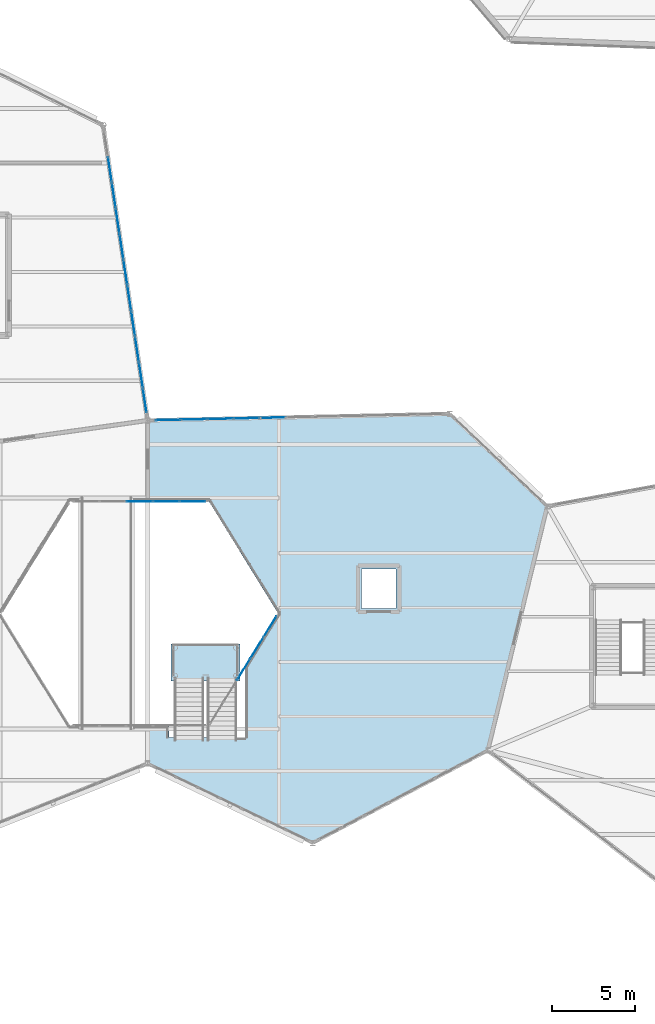
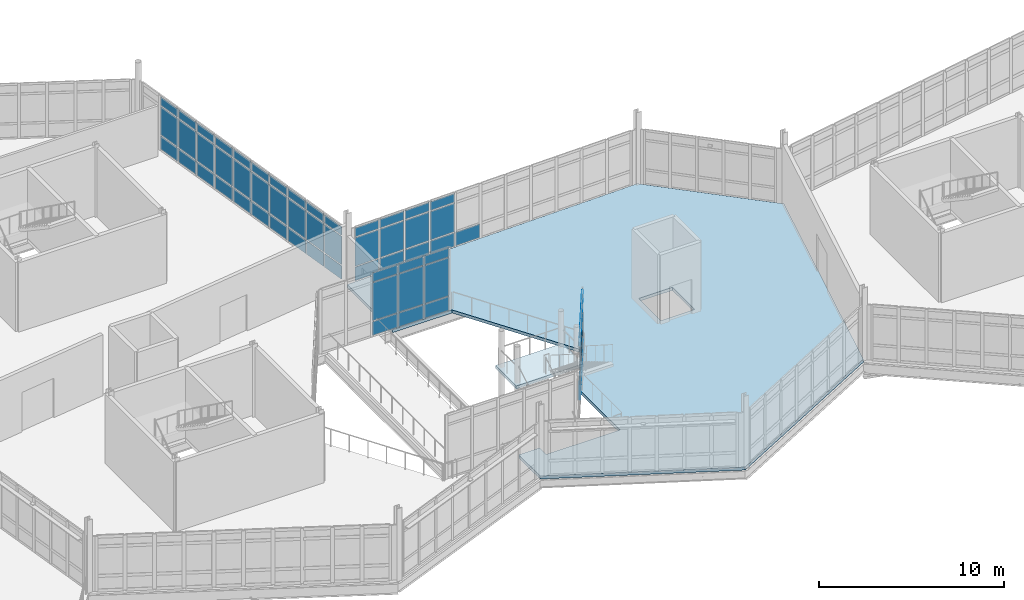
# One storey, part 73 of 114: 61 plates, 2 slabs, 5 elements without a shape of their own.
"""IFC4 building model written with IfcOpenShell, lengths in metres."""

import ifcopenshell
import ifcopenshell.guid

model = None  # the IFC model being written
_history = None  # IfcOwnerHistory: only IFC2X3 demands one
_inside = {}  # id of a spatial element -> (the spatial element, [elements in it])
_under = {}  # id of a project, library or spatial element -> (it, [spatial elements below it])
_declared = {}  # id of a project -> (the project, [libraries it declares])
_typed = {}  # id of a type object -> (the type object, [elements of that type])
_made_of = {}  # id of a material, layer set ... -> (it, [elements and type objects made of it])


def new_model(schema):
    """Start an empty IFC model of exactly this schema.

    Asked for "IFC4X3", IfcOpenShell would pick the latest addendum, in which some entities
    have other attributes; the version numbers below select the first issue.
    IFC2X3 requires an IfcOwnerHistory on every rooted entity: one is made here for all.
    """
    global model, _history
    if schema == "IFC4X3":
        model = ifcopenshell.file(schema_version=(4, 3, 0, 0))
    else:
        model = ifcopenshell.file(schema=schema)
    _inside.clear()
    _under.clear()
    _declared.clear()
    _typed.clear()
    _made_of.clear()
    _history = None
    if model.schema == "IFC2X3":
        org = make("IfcOrganization", Name="unknown")
        user = make(
            "IfcPersonAndOrganization",
            ThePerson=make("IfcPerson", FamilyName="unknown"),
            TheOrganization=org,
        )
        app = make(
            "IfcApplication",
            ApplicationDeveloper=org,
            Version="unknown",
            ApplicationFullName="unknown",
            ApplicationIdentifier="unknown",
        )
        _history = make(
            "IfcOwnerHistory",
            OwningUser=user,
            OwningApplication=app,
            ChangeAction="ADDED",
            CreationDate=0,
        )
    return model


def make(cls, **values):
    """One entity of the class cls with the attributes given. An attribute that is None is left unset."""
    return model.create_entity(
        cls, **{name: value for name, value in values.items() if value is not None}
    )


def rooted(cls, **values):
    """An entity with a GlobalId (a new one), such as an element, a storey or a relation."""
    return make(cls, GlobalId=ifcopenshell.guid.new(), OwnerHistory=_history, **values)


def si_unit(unit_type, name, prefix=None):
    """IfcSIUnit, for example si_unit("LENGTHUNIT", "METRE", prefix="MILLI")."""
    return make("IfcSIUnit", UnitType=unit_type, Prefix=prefix, Name=name)


def assignment(units):
    """IfcUnitAssignment: the units of a project."""
    return None if units is None else make("IfcUnitAssignment", Units=units)


def point(xyz):
    """IfcCartesianPoint."""
    return None if xyz is None else make("IfcCartesianPoint", Coordinates=xyz)


def direction(xyz):
    """IfcDirection."""
    return None if xyz is None else make("IfcDirection", DirectionRatios=xyz)


def frame(location, z_axis=None, x_axis=None):
    """IfcAxis2Placement3D, a coordinate frame: its origin and axes. An axis left out is left unset."""
    return make(
        "IfcAxis2Placement3D",
        Location=point(location),
        Axis=direction(z_axis),
        RefDirection=direction(x_axis),
    )


def frame_2d(location, x_axis=None):
    """IfcAxis2Placement2D, a coordinate frame in the plane: its origin and x axis."""
    return make(
        "IfcAxis2Placement2D", Location=point(location), RefDirection=direction(x_axis)
    )


def origin():
    """The frame at (0, 0, 0) with its axes left unset."""
    return frame((0.0, 0.0, 0.0))


def origin_2d():
    """The frame at (0, 0) in the plane with its x axis left unset."""
    return frame_2d((0.0, 0.0))


def place(relative_to, where):
    """IfcLocalPlacement: puts the frame where relative to a parent placement (None: the world)."""
    return make(
        "IfcLocalPlacement", PlacementRelTo=relative_to, RelativePlacement=where
    )


def context(
    kind, dimensions, precision=None, world=None, true_north=None, identifier=None
):
    """IfcGeometricRepresentationContext, for example the 3D "Model" context."""
    return make(
        "IfcGeometricRepresentationContext",
        ContextIdentifier=identifier,
        ContextType=kind,
        CoordinateSpaceDimension=dimensions,
        Precision=precision,
        WorldCoordinateSystem=world,
        TrueNorth=true_north,
    )


def subcontext(parent, identifier, kind, view, scale=None):
    """IfcGeometricRepresentationSubContext, for example "Body" below "Model"."""
    return make(
        "IfcGeometricRepresentationSubContext",
        ContextIdentifier=identifier,
        ContextType=kind,
        ParentContext=parent,
        TargetScale=scale,
        TargetView=view,
    )


def project(units=None, contexts=None):
    """IfcProject with its units and contexts."""
    return rooted(
        "IfcProject",
        Name="project",
        RepresentationContexts=contexts,
        UnitsInContext=assignment(units),
    )


def spatial(cls, under=None, at=None, **own):
    """A site, building, storey or space (cls), placed at a placement, below another one or the project."""
    s = rooted(cls, ObjectPlacement=at, **own)
    if under is not None:
        _under.setdefault(under.id(), (under, []))[1].append(s)
    return s


def polyline(points):
    """IfcPolyline through the points."""
    return make("IfcPolyline", Points=[point(p) for p in points])


def profile(cls, at=None, kind="AREA", **sizes):
    """A parametric profile (cls). Its sizes go by their IFC names, for example OverallWidth=200.0."""
    return make(cls, ProfileType=kind, Position=at, **sizes)


def rectangle(**sizes):
    """IfcRectangleProfileDef."""
    return profile("IfcRectangleProfileDef", **sizes)


def outline(outer, holes=None, kind="AREA"):
    """IfcArbitraryClosedProfileDef: a profile drawn as a closed curve; with holes, ...WithVoids."""
    if holes is None:
        return make("IfcArbitraryClosedProfileDef", ProfileType=kind, OuterCurve=outer)
    return make(
        "IfcArbitraryProfileDefWithVoids",
        ProfileType=kind,
        OuterCurve=outer,
        InnerCurves=holes,
    )


def extrude(swept, where, along, depth):
    """IfcExtrudedAreaSolid: the profile swept, set in the frame where, extruded along a direction by depth."""
    return make(
        "IfcExtrudedAreaSolid",
        SweptArea=swept,
        Position=where,
        ExtrudedDirection=direction(along),
        Depth=depth,
    )


def shape(context_of_items, identifier, shape_type, items):
    """IfcShapeRepresentation: the items that make up one representation, for example the "Body"."""
    return make(
        "IfcShapeRepresentation",
        ContextOfItems=context_of_items,
        RepresentationIdentifier=identifier,
        RepresentationType=shape_type,
        Items=items,
    )


def material(Name=None, Category=None):
    """IfcMaterial."""
    return make("IfcMaterial", Name=Name, Category=Category)


def layer(
    of_material, thickness, ventilated=None, Name=None, Category=None, Priority=None
):
    """IfcMaterialLayer: one layer of a wall or slab, of a material (None: an air gap)."""
    return make(
        "IfcMaterialLayer",
        Material=of_material,
        LayerThickness=thickness,
        IsVentilated=ventilated,
        Name=Name,
        Category=Category,
        Priority=Priority,
    )


def layer_set(layers, Name=None):
    """IfcMaterialLayerSet."""
    return make("IfcMaterialLayerSet", MaterialLayers=layers, LayerSetName=Name)


def made_of(thing, what):
    """Note that an element or type object is made of a material, layer set ...; save() writes the relation."""
    if what is not None:
        _made_of.setdefault(what.id(), (what, []))[1].append(thing)
    return thing


def type_object(cls, material=None, **own):
    """A type object (cls), such as IfcWallType, which elements share."""
    return made_of(rooted(cls, **own), material)


def element(
    cls,
    number,
    at=None,
    inside=None,
    cuts=None,
    type_object=None,
    material=None,
    context=None,
    identifier="Body",
    shape_type=None,
    held_by="IfcProductDefinitionShape",
    body=None,
    shapes=None,
    **own,
):
    """One element of the class cls, such as IfcWall. Its Tag is "e" and its number.

    at: its placement. inside: the storey or other place that contains it. cuts: it is an
    opening in that element (IfcRelVoidsElement). A single representation is given by context,
    identifier, shape_type and body (its items); several are given by shapes. held_by: the class
    of the entity that holds the representations. save() writes the other relations.
    """
    e = rooted(cls, Tag="e%d" % number, ObjectPlacement=at, **own)
    if body is not None:
        shapes = [shape(context, identifier, shape_type, body)]
    if shapes is not None:
        e.Representation = make(held_by, Representations=shapes)
    if inside is not None:
        _inside.setdefault(inside.id(), (inside, []))[1].append(e)
    if cuts is not None:
        rooted(
            "IfcRelVoidsElement", RelatingBuildingElement=cuts, RelatedOpeningElement=e
        )
    if type_object is not None:
        _typed.setdefault(type_object.id(), (type_object, []))[1].append(e)
    return made_of(e, material)


def aggregate(whole, parts):
    """IfcRelAggregates: a whole, such as a stair, and the parts it consists of."""
    return rooted("IfcRelAggregates", RelatingObject=whole, RelatedObjects=parts)


def save(model, path):
    """Write the relations noted so far, then the file.

    IfcRelAggregates (storeys below a building ...), IfcRelContainedInSpatialStructure (elements
    in a storey), IfcRelDefinesByType, IfcRelAssociatesMaterial and IfcRelDeclares: one each for
    every whole, place, type object, material and project.
    """
    for whole, parts in _under.values():
        aggregate(whole, parts)
    for where, things in _inside.values():
        rooted(
            "IfcRelContainedInSpatialStructure",
            RelatedElements=things,
            RelatingStructure=where,
        )
    for kind, things in _typed.values():
        rooted("IfcRelDefinesByType", RelatedObjects=things, RelatingType=kind)
    for what, things in _made_of.values():
        rooted("IfcRelAssociatesMaterial", RelatedObjects=things, RelatingMaterial=what)
    for by, libraries in _declared.values():
        rooted("IfcRelDeclares", RelatingContext=by, RelatedDefinitions=libraries)
    model.write(path)


model = new_model("IFC4")

# Units and contexts
model_context = context("Model", 3, precision=1e-05, world=origin(), true_north=direction((0.0, 1.0)))
body_context = subcontext(model_context, "Body", "Model", "MODEL_VIEW")
ifc_project = project(units=[si_unit("LENGTHUNIT", "METRE"), si_unit("AREAUNIT", "SQUARE_METRE"), si_unit("VOLUMEUNIT", "CUBIC_METRE"), si_unit("PLANEANGLEUNIT", "RADIAN"), si_unit("MASSUNIT", "GRAM", prefix="KILO")], contexts=[model_context])

# Site, building, storey
site_placement = place(None, origin())
site = spatial("IfcSite", under=ifc_project, at=site_placement, CompositionType="ELEMENT")
building_placement = place(site_placement, origin())
building = spatial("IfcBuilding", under=site, at=building_placement, Name="Tameran Prism Museum", CompositionType="ELEMENT")
storey_placement = place(building_placement, frame((0.0, 0.0, 10.199951171875)))
storey = spatial("IfcBuildingStorey", under=building, at=storey_placement, Name="L02", CompositionType="ELEMENT", Elevation=10.199951171875)

# Curtain wall, plates
ifc_material_1 = material(Name="Anodised Aluminium 6063-T6 and Cyclone Solar Glass", Category="aluminium")
curtain_wall_type_1 = type_object("IfcCurtainWallType", Name="CW-ATR-769x424", PredefinedType="USERDEFINED", material=ifc_material_1)
curtain_wall_1_placement = place(storey_placement, origin())
curtain_wall_1 = element("IfcCurtainWall", 1, at=curtain_wall_1_placement, inside=storey, type_object=curtain_wall_type_1, Name="Unitised Curtain Wall CW-008", ObjectType="UNITISED CURTAIN WALL", PredefinedType="USERDEFINED")
ifc_material_2 = material(Name="Low-E Laminated Solar Glass", Category="glass")
ifc_layer_1 = layer(ifc_material_2, 0.028076171875)
ifc_layer_set_1 = layer_set([ifc_layer_1])
plate_type_1 = type_object("IfcPlateType", Name="CW-PNL-G28", PredefinedType="CURTAIN_PANEL", material=ifc_layer_set_1)
plate_1_placement = place(storey_placement, frame((83.300048828125, 33.10009765625, 0.06494140625), z_axis=(0.0, 0.0, 1.0), x_axis=(0.525503952357, 0.850791158897, 0.0)))
plate_1 = element("IfcPlate", 2, at=plate_1_placement, type_object=plate_type_1, Name="CW-008 panel 3.1", PredefinedType="CURTAIN_PANEL", context=body_context, shape_type="SweptSolid", body=[
    extrude(rectangle(XDim=1.473388671875, YDim=0.028076171875, at=origin_2d()), origin(), (0.0, 0.0, 1.0), 0.902587890625),
])
plate_2_placement = place(storey_placement, frame((83.300048828125, 33.10009765625, 1.032470703125), z_axis=(0.0, 0.0, 1.0), x_axis=(0.525503952357, 0.850791158897, 0.0)))
plate_2 = element("IfcPlate", 3, at=plate_2_placement, type_object=plate_type_1, Name="CW-008 panel 3.2", PredefinedType="CURTAIN_PANEL", context=body_context, shape_type="SweptSolid", body=[
    extrude(rectangle(XDim=1.473388671875, YDim=0.028076171875, at=origin_2d()), origin(), (0.0, 0.0, 1.0), 2.4951171875),
])
plate_3_placement = place(storey_placement, frame((83.300048828125, 33.10009765625, 3.592529296875), z_axis=(0.0, 0.0, 1.0), x_axis=(0.525503952357, 0.850791158897, 0.0)))
plate_3 = element("IfcPlate", 4, at=plate_3_placement, type_object=plate_type_1, Name="CW-008 panel 3.3", PredefinedType="CURTAIN_PANEL", context=body_context, shape_type="SweptSolid", body=[
    extrude(rectangle(XDim=1.473388671875, YDim=0.028076171875, at=origin_2d()), origin(), (0.0, 0.0, 1.0), 0.58251953125),
])
plate_4_placement = place(storey_placement, frame((84.1083984375, 34.40869140625, 0.06494140625), z_axis=(0.0, 0.0, 1.0), x_axis=(0.525503952357, 0.850791158897, 0.0)))
plate_4 = element("IfcPlate", 5, at=plate_4_placement, type_object=plate_type_1, Name="CW-008 panel 4.1", PredefinedType="CURTAIN_PANEL", context=body_context, shape_type="SweptSolid", body=[
    extrude(rectangle(XDim=1.473388671875, YDim=0.028076171875, at=origin_2d()), origin(), (0.0, 0.0, 1.0), 0.902587890625),
])
plate_5_placement = place(storey_placement, frame((84.1083984375, 34.40869140625, 1.032470703125), z_axis=(0.0, 0.0, 1.0), x_axis=(0.525503952357, 0.850791158897, 0.0)))
plate_5 = element("IfcPlate", 6, at=plate_5_placement, type_object=plate_type_1, Name="CW-008 panel 4.2", PredefinedType="CURTAIN_PANEL", context=body_context, shape_type="SweptSolid", body=[
    extrude(rectangle(XDim=1.473388671875, YDim=0.028076171875, at=origin_2d()), origin(), (0.0, 0.0, 1.0), 2.4951171875),
])
plate_6_placement = place(storey_placement, frame((84.1083984375, 34.40869140625, 3.592529296875), z_axis=(0.0, 0.0, 1.0), x_axis=(0.525503952357, 0.850791158897, 0.0)))
plate_6 = element("IfcPlate", 7, at=plate_6_placement, type_object=plate_type_1, Name="CW-008 panel 4.3", PredefinedType="CURTAIN_PANEL", context=body_context, shape_type="SweptSolid", body=[
    extrude(rectangle(XDim=1.473388671875, YDim=0.028076171875, at=origin_2d()), origin(), (0.0, 0.0, 1.0), 0.58251953125),
])
plate_7_placement = place(storey_placement, frame((84.908203125, 35.703857421875, 0.06494140625), z_axis=(0.0, 0.0, 1.0), x_axis=(0.525503952357, 0.850791158897, 0.0)))
plate_7 = element("IfcPlate", 8, at=plate_7_placement, type_object=plate_type_1, Name="CW-008 panel 5.1", PredefinedType="CURTAIN_PANEL", context=body_context, shape_type="SweptSolid", body=[
    extrude(rectangle(XDim=1.44091796875, YDim=0.028076171875, at=origin_2d()), origin(), (0.0, 0.0, 1.0), 0.902587890625),
])
plate_8_placement = place(storey_placement, frame((84.908203125, 35.703857421875, 1.032470703125), z_axis=(0.0, 0.0, 1.0), x_axis=(0.525503952357, 0.850791158897, 0.0)))
plate_8 = element("IfcPlate", 9, at=plate_8_placement, type_object=plate_type_1, Name="CW-008 panel 5.2", PredefinedType="CURTAIN_PANEL", context=body_context, shape_type="SweptSolid", body=[
    extrude(rectangle(XDim=1.44091796875, YDim=0.028076171875, at=origin_2d()), origin(), (0.0, 0.0, 1.0), 2.4951171875),
])
plate_9_placement = place(storey_placement, frame((84.908203125, 35.703857421875, 3.592529296875), z_axis=(0.0, 0.0, 1.0), x_axis=(0.525503952357, 0.850791158897, 0.0)))
plate_9 = element("IfcPlate", 10, at=plate_9_placement, type_object=plate_type_1, Name="CW-008 panel 5.3", PredefinedType="CURTAIN_PANEL", context=body_context, shape_type="SweptSolid", body=[
    extrude(rectangle(XDim=1.44091796875, YDim=0.028076171875, at=origin_2d()), origin(), (0.0, 0.0, 1.0), 0.58251953125),
])
aggregate(curtain_wall_1, [plate_1, plate_2, plate_3, plate_4, plate_5, plate_6, plate_7, plate_8, plate_9])

ifc_material_3 = material(Name="Anodised Aluminium 6063-T6 and Cyclone Solar Glass", Category="aluminium")
curtain_wall_type_2 = type_object("IfcCurtainWallType", Name="CW-ATR-810x424", PredefinedType="USERDEFINED", material=ifc_material_3)
curtain_wall_2_placement = place(storey_placement, origin())
curtain_wall_2 = element("IfcCurtainWall", 11, at=curtain_wall_2_placement, inside=storey, type_object=curtain_wall_type_2, Name="Unitised Curtain Wall CW-009", ObjectType="UNITISED CURTAIN WALL", PredefinedType="USERDEFINED")
plate_10_placement = place(storey_placement, frame((80.2236328125, 43.300048828125, 0.06494140625), z_axis=(0.0, 0.0, 1.0), x_axis=(-1.0, 0.0, 0.0)))
plate_10 = element("IfcPlate", 12, at=plate_10_placement, type_object=plate_type_1, Name="CW-009 panel 1.1", PredefinedType="CURTAIN_PANEL", context=body_context, shape_type="SweptSolid", body=[
    extrude(rectangle(XDim=1.5224609375, YDim=0.028076171875, at=origin_2d()), origin(), (0.0, 0.0, 1.0), 0.902587890625),
])
plate_11_placement = place(storey_placement, frame((80.2236328125, 43.300048828125, 1.032470703125), z_axis=(0.0, 0.0, 1.0), x_axis=(-1.0, 0.0, 0.0)))
plate_11 = element("IfcPlate", 13, at=plate_11_placement, type_object=plate_type_1, Name="CW-009 panel 1.2", PredefinedType="CURTAIN_PANEL", context=body_context, shape_type="SweptSolid", body=[
    extrude(rectangle(XDim=1.5224609375, YDim=0.028076171875, at=origin_2d()), origin(), (0.0, 0.0, 1.0), 2.4951171875),
])
plate_12_placement = place(storey_placement, frame((80.2236328125, 43.300048828125, 3.592529296875), z_axis=(0.0, 0.0, 1.0), x_axis=(-1.0, 0.0, 0.0)))
plate_12 = element("IfcPlate", 14, at=plate_12_placement, type_object=plate_type_1, Name="CW-009 panel 1.3", PredefinedType="CURTAIN_PANEL", context=body_context, shape_type="SweptSolid", body=[
    extrude(rectangle(XDim=1.5224609375, YDim=0.028076171875, at=origin_2d()), origin(), (0.0, 0.0, 1.0), 0.58251953125),
])
plate_13_placement = place(storey_placement, frame((78.6201171875, 43.300048828125, 0.06494140625), z_axis=(0.0, 0.0, 1.0), x_axis=(-1.0, 0.0, 0.0)))
plate_13 = element("IfcPlate", 15, at=plate_13_placement, type_object=plate_type_1, Name="CW-009 panel 2.1", PredefinedType="CURTAIN_PANEL", context=body_context, shape_type="SweptSolid", body=[
    extrude(rectangle(XDim=1.554931640625, YDim=0.028076171875, at=origin_2d()), origin(), (0.0, 0.0, 1.0), 0.902587890625),
])
plate_14_placement = place(storey_placement, frame((78.6201171875, 43.300048828125, 1.032470703125), z_axis=(0.0, 0.0, 1.0), x_axis=(-1.0, 0.0, 0.0)))
plate_14 = element("IfcPlate", 16, at=plate_14_placement, type_object=plate_type_1, Name="CW-009 panel 2.2", PredefinedType="CURTAIN_PANEL", context=body_context, shape_type="SweptSolid", body=[
    extrude(rectangle(XDim=1.554931640625, YDim=0.028076171875, at=origin_2d()), origin(), (0.0, 0.0, 1.0), 2.4951171875),
])
plate_15_placement = place(storey_placement, frame((78.6201171875, 43.300048828125, 3.592529296875), z_axis=(0.0, 0.0, 1.0), x_axis=(-1.0, 0.0, 0.0)))
plate_15 = element("IfcPlate", 17, at=plate_15_placement, type_object=plate_type_1, Name="CW-009 panel 2.3", PredefinedType="CURTAIN_PANEL", context=body_context, shape_type="SweptSolid", body=[
    extrude(rectangle(XDim=1.554931640625, YDim=0.028076171875, at=origin_2d()), origin(), (0.0, 0.0, 1.0), 0.58251953125),
])
plate_16_placement = place(storey_placement, frame((77.0, 43.300048828125, 0.06494140625), z_axis=(0.0, 0.0, 1.0), x_axis=(-1.0, 0.0, 0.0)))
plate_16 = element("IfcPlate", 18, at=plate_16_placement, type_object=plate_type_1, Name="CW-009 panel 3.1", PredefinedType="CURTAIN_PANEL", context=body_context, shape_type="SweptSolid", body=[
    extrude(rectangle(XDim=1.554931640625, YDim=0.028076171875, at=origin_2d()), origin(), (0.0, 0.0, 1.0), 0.902587890625),
])
plate_17_placement = place(storey_placement, frame((77.0, 43.300048828125, 1.032470703125), z_axis=(0.0, 0.0, 1.0), x_axis=(-1.0, 0.0, 0.0)))
plate_17 = element("IfcPlate", 19, at=plate_17_placement, type_object=plate_type_1, Name="CW-009 panel 3.2", PredefinedType="CURTAIN_PANEL", context=body_context, shape_type="SweptSolid", body=[
    extrude(rectangle(XDim=1.554931640625, YDim=0.028076171875, at=origin_2d()), origin(), (0.0, 0.0, 1.0), 2.4951171875),
])
plate_18_placement = place(storey_placement, frame((77.0, 43.300048828125, 3.592529296875), z_axis=(0.0, 0.0, 1.0), x_axis=(-1.0, 0.0, 0.0)))
plate_18 = element("IfcPlate", 20, at=plate_18_placement, type_object=plate_type_1, Name="CW-009 panel 3.3", PredefinedType="CURTAIN_PANEL", context=body_context, shape_type="SweptSolid", body=[
    extrude(rectangle(XDim=1.554931640625, YDim=0.028076171875, at=origin_2d()), origin(), (0.0, 0.0, 1.0), 0.58251953125),
])
aggregate(curtain_wall_2, [plate_10, plate_11, plate_12, plate_13, plate_14, plate_15, plate_16, plate_17, plate_18])

ifc_material_4 = material(Name="Anodised Aluminium 6063-T6 and Cyclone Solar Glass", Category="aluminium")
curtain_wall_type_3 = type_object("IfcCurtainWallType", Name="CW-FAC-1734x362", PredefinedType="USERDEFINED", material=ifc_material_4)
curtain_wall_3_placement = place(storey_placement, origin())
curtain_wall_3 = element("IfcCurtainWall", 21, at=curtain_wall_3_placement, inside=storey, type_object=curtain_wall_type_3, Name="Unitised Curtain Wall CW-114", ObjectType="UNITISED CURTAIN WALL", PredefinedType="USERDEFINED")
plate_19_placement = place(storey_placement, frame((75.204833984375, 63.41552734375, 0.080078125), z_axis=(0.0, 0.0, 1.0), x_axis=(0.149166532852, -0.988812088052, 0.0)))
plate_19 = element("IfcPlate", 22, at=plate_19_placement, type_object=plate_type_1, Name="CW-114 panel 2.1", PredefinedType="CURTAIN_PANEL", context=body_context, shape_type="SweptSolid", body=[
    extrude(rectangle(XDim=1.49658203125, YDim=0.028076171875, at=origin_2d()), origin(), (0.0, 0.0, 1.0), 0.8798828125),
])
plate_20_placement = place(storey_placement, frame((75.204833984375, 63.41552734375, 1.0400390625), z_axis=(0.0, 0.0, 1.0), x_axis=(0.149166532852, -0.988812088052, 0.0)))
plate_20 = element("IfcPlate", 23, at=plate_20_placement, type_object=plate_type_1, Name="CW-114 panel 2.2", PredefinedType="CURTAIN_PANEL", context=body_context, shape_type="SweptSolid", body=[
    extrude(rectangle(XDim=1.49658203125, YDim=0.028076171875, at=origin_2d()), origin(), (0.0, 0.0, 1.0), 1.860107421875),
])
plate_21_placement = place(storey_placement, frame((75.204833984375, 63.41552734375, 2.97998046875), z_axis=(0.0, 0.0, 1.0), x_axis=(0.149166532852, -0.988812088052, 0.0)))
plate_21 = element("IfcPlate", 24, at=plate_21_placement, type_object=plate_type_1, Name="CW-114 panel 2.3", PredefinedType="CURTAIN_PANEL", context=body_context, shape_type="SweptSolid", body=[
    extrude(rectangle(XDim=1.49658203125, YDim=0.028076171875, at=origin_2d()), origin(), (0.0, 0.0, 1.0), 0.56005859375),
])
plate_22_placement = place(storey_placement, frame((75.43994140625, 61.8564453125, 0.080078125), z_axis=(0.0, 0.0, 1.0), x_axis=(0.149166532852, -0.988812088052, 0.0)))
plate_22 = element("IfcPlate", 25, at=plate_22_placement, type_object=plate_type_1, Name="CW-114 panel 3.1", PredefinedType="CURTAIN_PANEL", context=body_context, shape_type="SweptSolid", body=[
    extrude(rectangle(XDim=1.49658203125, YDim=0.028076171875, at=origin_2d()), origin(), (0.0, 0.0, 1.0), 0.8798828125),
])
plate_23_placement = place(storey_placement, frame((75.43994140625, 61.8564453125, 1.0400390625), z_axis=(0.0, 0.0, 1.0), x_axis=(0.149166532852, -0.988812088052, 0.0)))
plate_23 = element("IfcPlate", 26, at=plate_23_placement, type_object=plate_type_1, Name="CW-114 panel 3.2", PredefinedType="CURTAIN_PANEL", context=body_context, shape_type="SweptSolid", body=[
    extrude(rectangle(XDim=1.49658203125, YDim=0.028076171875, at=origin_2d()), origin(), (0.0, 0.0, 1.0), 1.860107421875),
])
plate_24_placement = place(storey_placement, frame((75.43994140625, 61.8564453125, 2.97998046875), z_axis=(0.0, 0.0, 1.0), x_axis=(0.149166532852, -0.988812088052, 0.0)))
plate_24 = element("IfcPlate", 27, at=plate_24_placement, type_object=plate_type_1, Name="CW-114 panel 3.3", PredefinedType="CURTAIN_PANEL", context=body_context, shape_type="SweptSolid", body=[
    extrude(rectangle(XDim=1.49658203125, YDim=0.028076171875, at=origin_2d()), origin(), (0.0, 0.0, 1.0), 0.56005859375),
])
plate_25_placement = place(storey_placement, frame((75.675048828125, 60.297607421875, 0.080078125), z_axis=(0.0, 0.0, 1.0), x_axis=(0.149166532852, -0.988812088052, 0.0)))
plate_25 = element("IfcPlate", 28, at=plate_25_placement, type_object=plate_type_1, Name="CW-114 panel 4.1", PredefinedType="CURTAIN_PANEL", context=body_context, shape_type="SweptSolid", body=[
    extrude(rectangle(XDim=1.49658203125, YDim=0.028076171875, at=origin_2d()), origin(), (0.0, 0.0, 1.0), 0.8798828125),
])
plate_26_placement = place(storey_placement, frame((75.675048828125, 60.297607421875, 1.0400390625), z_axis=(0.0, 0.0, 1.0), x_axis=(0.149166532852, -0.988812088052, 0.0)))
plate_26 = element("IfcPlate", 29, at=plate_26_placement, type_object=plate_type_1, Name="CW-114 panel 4.2", PredefinedType="CURTAIN_PANEL", context=body_context, shape_type="SweptSolid", body=[
    extrude(rectangle(XDim=1.49658203125, YDim=0.028076171875, at=origin_2d()), origin(), (0.0, 0.0, 1.0), 1.860107421875),
])
plate_27_placement = place(storey_placement, frame((75.675048828125, 60.297607421875, 2.97998046875), z_axis=(0.0, 0.0, 1.0), x_axis=(0.149166532852, -0.988812088052, 0.0)))
plate_27 = element("IfcPlate", 30, at=plate_27_placement, type_object=plate_type_1, Name="CW-114 panel 4.3", PredefinedType="CURTAIN_PANEL", context=body_context, shape_type="SweptSolid", body=[
    extrude(rectangle(XDim=1.49658203125, YDim=0.028076171875, at=origin_2d()), origin(), (0.0, 0.0, 1.0), 0.56005859375),
])
plate_28_placement = place(storey_placement, frame((75.910400390625, 58.738525390625, 0.080078125), z_axis=(0.0, 0.0, 1.0), x_axis=(0.149166532852, -0.988812088052, 0.0)))
plate_28 = element("IfcPlate", 31, at=plate_28_placement, type_object=plate_type_1, Name="CW-114 panel 5.1", PredefinedType="CURTAIN_PANEL", context=body_context, shape_type="SweptSolid", body=[
    extrude(rectangle(XDim=1.49658203125, YDim=0.028076171875, at=origin_2d()), origin(), (0.0, 0.0, 1.0), 0.8798828125),
])
plate_29_placement = place(storey_placement, frame((75.910400390625, 58.738525390625, 1.0400390625), z_axis=(0.0, 0.0, 1.0), x_axis=(0.149166532852, -0.988812088052, 0.0)))
plate_29 = element("IfcPlate", 32, at=plate_29_placement, type_object=plate_type_1, Name="CW-114 panel 5.2", PredefinedType="CURTAIN_PANEL", context=body_context, shape_type="SweptSolid", body=[
    extrude(rectangle(XDim=1.49658203125, YDim=0.028076171875, at=origin_2d()), origin(), (0.0, 0.0, 1.0), 1.860107421875),
])
plate_30_placement = place(storey_placement, frame((75.910400390625, 58.738525390625, 2.97998046875), z_axis=(0.0, 0.0, 1.0), x_axis=(0.149166532852, -0.988812088052, 0.0)))
plate_30 = element("IfcPlate", 33, at=plate_30_placement, type_object=plate_type_1, Name="CW-114 panel 5.3", PredefinedType="CURTAIN_PANEL", context=body_context, shape_type="SweptSolid", body=[
    extrude(rectangle(XDim=1.49658203125, YDim=0.028076171875, at=origin_2d()), origin(), (0.0, 0.0, 1.0), 0.56005859375),
])
plate_31_placement = place(storey_placement, frame((76.1455078125, 57.179443359375, 0.080078125), z_axis=(0.0, 0.0, 1.0), x_axis=(0.149166532852, -0.988812088052, 0.0)))
plate_31 = element("IfcPlate", 34, at=plate_31_placement, type_object=plate_type_1, Name="CW-114 panel 6.1", PredefinedType="CURTAIN_PANEL", context=body_context, shape_type="SweptSolid", body=[
    extrude(rectangle(XDim=1.49658203125, YDim=0.028076171875, at=origin_2d()), origin(), (0.0, 0.0, 1.0), 0.8798828125),
])
plate_32_placement = place(storey_placement, frame((76.1455078125, 57.179443359375, 1.0400390625), z_axis=(0.0, 0.0, 1.0), x_axis=(0.149166532852, -0.988812088052, 0.0)))
plate_32 = element("IfcPlate", 35, at=plate_32_placement, type_object=plate_type_1, Name="CW-114 panel 6.2", PredefinedType="CURTAIN_PANEL", context=body_context, shape_type="SweptSolid", body=[
    extrude(rectangle(XDim=1.49658203125, YDim=0.028076171875, at=origin_2d()), origin(), (0.0, 0.0, 1.0), 1.860107421875),
])
plate_33_placement = place(storey_placement, frame((76.1455078125, 57.179443359375, 2.97998046875), z_axis=(0.0, 0.0, 1.0), x_axis=(0.149166532852, -0.988812088052, 0.0)))
plate_33 = element("IfcPlate", 36, at=plate_33_placement, type_object=plate_type_1, Name="CW-114 panel 6.3", PredefinedType="CURTAIN_PANEL", context=body_context, shape_type="SweptSolid", body=[
    extrude(rectangle(XDim=1.49658203125, YDim=0.028076171875, at=origin_2d()), origin(), (0.0, 0.0, 1.0), 0.56005859375),
])
plate_34_placement = place(storey_placement, frame((76.380615234375, 55.62060546875, 0.080078125), z_axis=(0.0, 0.0, 1.0), x_axis=(0.149166532852, -0.988812088052, 0.0)))
plate_34 = element("IfcPlate", 37, at=plate_34_placement, type_object=plate_type_1, Name="CW-114 panel 7.1", PredefinedType="CURTAIN_PANEL", context=body_context, shape_type="SweptSolid", body=[
    extrude(rectangle(XDim=1.49658203125, YDim=0.028076171875, at=origin_2d()), origin(), (0.0, 0.0, 1.0), 0.8798828125),
])
plate_35_placement = place(storey_placement, frame((76.380615234375, 55.62060546875, 1.0400390625), z_axis=(0.0, 0.0, 1.0), x_axis=(0.149166532852, -0.988812088052, 0.0)))
plate_35 = element("IfcPlate", 38, at=plate_35_placement, type_object=plate_type_1, Name="CW-114 panel 7.2", PredefinedType="CURTAIN_PANEL", context=body_context, shape_type="SweptSolid", body=[
    extrude(rectangle(XDim=1.49658203125, YDim=0.028076171875, at=origin_2d()), origin(), (0.0, 0.0, 1.0), 1.860107421875),
])
plate_36_placement = place(storey_placement, frame((76.380615234375, 55.62060546875, 2.97998046875), z_axis=(0.0, 0.0, 1.0), x_axis=(0.149166532852, -0.988812088052, 0.0)))
plate_36 = element("IfcPlate", 39, at=plate_36_placement, type_object=plate_type_1, Name="CW-114 panel 7.3", PredefinedType="CURTAIN_PANEL", context=body_context, shape_type="SweptSolid", body=[
    extrude(rectangle(XDim=1.49658203125, YDim=0.028076171875, at=origin_2d()), origin(), (0.0, 0.0, 1.0), 0.56005859375),
])
plate_37_placement = place(storey_placement, frame((76.615966796875, 54.0615234375, 0.080078125), z_axis=(0.0, 0.0, 1.0), x_axis=(0.149166532852, -0.988812088052, 0.0)))
plate_37 = element("IfcPlate", 40, at=plate_37_placement, type_object=plate_type_1, Name="CW-114 panel 8.1", PredefinedType="CURTAIN_PANEL", context=body_context, shape_type="SweptSolid", body=[
    extrude(rectangle(XDim=1.49658203125, YDim=0.028076171875, at=origin_2d()), origin(), (0.0, 0.0, 1.0), 0.8798828125),
])
plate_38_placement = place(storey_placement, frame((76.615966796875, 54.0615234375, 1.0400390625), z_axis=(0.0, 0.0, 1.0), x_axis=(0.149166532852, -0.988812088052, 0.0)))
plate_38 = element("IfcPlate", 41, at=plate_38_placement, type_object=plate_type_1, Name="CW-114 panel 8.2", PredefinedType="CURTAIN_PANEL", context=body_context, shape_type="SweptSolid", body=[
    extrude(rectangle(XDim=1.49658203125, YDim=0.028076171875, at=origin_2d()), origin(), (0.0, 0.0, 1.0), 1.860107421875),
])
plate_39_placement = place(storey_placement, frame((76.615966796875, 54.0615234375, 2.97998046875), z_axis=(0.0, 0.0, 1.0), x_axis=(0.149166532852, -0.988812088052, 0.0)))
plate_39 = element("IfcPlate", 42, at=plate_39_placement, type_object=plate_type_1, Name="CW-114 panel 8.3", PredefinedType="CURTAIN_PANEL", context=body_context, shape_type="SweptSolid", body=[
    extrude(rectangle(XDim=1.49658203125, YDim=0.028076171875, at=origin_2d()), origin(), (0.0, 0.0, 1.0), 0.56005859375),
])
plate_40_placement = place(storey_placement, frame((76.85107421875, 52.50244140625, 0.080078125), z_axis=(0.0, 0.0, 1.0), x_axis=(0.149166532852, -0.988812088052, 0.0)))
plate_40 = element("IfcPlate", 43, at=plate_40_placement, type_object=plate_type_1, Name="CW-114 panel 9.1", PredefinedType="CURTAIN_PANEL", context=body_context, shape_type="SweptSolid", body=[
    extrude(rectangle(XDim=1.49658203125, YDim=0.028076171875, at=origin_2d()), origin(), (0.0, 0.0, 1.0), 0.8798828125),
])
plate_41_placement = place(storey_placement, frame((76.85107421875, 52.50244140625, 1.0400390625), z_axis=(0.0, 0.0, 1.0), x_axis=(0.149166532852, -0.988812088052, 0.0)))
plate_41 = element("IfcPlate", 44, at=plate_41_placement, type_object=plate_type_1, Name="CW-114 panel 9.2", PredefinedType="CURTAIN_PANEL", context=body_context, shape_type="SweptSolid", body=[
    extrude(rectangle(XDim=1.49658203125, YDim=0.028076171875, at=origin_2d()), origin(), (0.0, 0.0, 1.0), 1.860107421875),
])
plate_42_placement = place(storey_placement, frame((76.85107421875, 52.50244140625, 2.97998046875), z_axis=(0.0, 0.0, 1.0), x_axis=(0.149166532852, -0.988812088052, 0.0)))
plate_42 = element("IfcPlate", 45, at=plate_42_placement, type_object=plate_type_1, Name="CW-114 panel 9.3", PredefinedType="CURTAIN_PANEL", context=body_context, shape_type="SweptSolid", body=[
    extrude(rectangle(XDim=1.49658203125, YDim=0.028076171875, at=origin_2d()), origin(), (0.0, 0.0, 1.0), 0.56005859375),
])
plate_43_placement = place(storey_placement, frame((77.086181640625, 50.943603515625, 0.080078125), z_axis=(0.0, 0.0, 1.0), x_axis=(0.149166532852, -0.988812088052, 0.0)))
plate_43 = element("IfcPlate", 46, at=plate_43_placement, type_object=plate_type_1, Name="CW-114 panel 10.1", PredefinedType="CURTAIN_PANEL", context=body_context, shape_type="SweptSolid", body=[
    extrude(rectangle(XDim=1.49658203125, YDim=0.028076171875, at=origin_2d()), origin(), (0.0, 0.0, 1.0), 0.8798828125),
])
plate_44_placement = place(storey_placement, frame((77.086181640625, 50.943603515625, 1.0400390625), z_axis=(0.0, 0.0, 1.0), x_axis=(0.149166532852, -0.988812088052, 0.0)))
plate_44 = element("IfcPlate", 47, at=plate_44_placement, type_object=plate_type_1, Name="CW-114 panel 10.2", PredefinedType="CURTAIN_PANEL", context=body_context, shape_type="SweptSolid", body=[
    extrude(rectangle(XDim=1.49658203125, YDim=0.028076171875, at=origin_2d()), origin(), (0.0, 0.0, 1.0), 1.860107421875),
])
plate_45_placement = place(storey_placement, frame((77.086181640625, 50.943603515625, 2.97998046875), z_axis=(0.0, 0.0, 1.0), x_axis=(0.149166532852, -0.988812088052, 0.0)))
plate_45 = element("IfcPlate", 48, at=plate_45_placement, type_object=plate_type_1, Name="CW-114 panel 10.3", PredefinedType="CURTAIN_PANEL", context=body_context, shape_type="SweptSolid", body=[
    extrude(rectangle(XDim=1.49658203125, YDim=0.028076171875, at=origin_2d()), origin(), (0.0, 0.0, 1.0), 0.56005859375),
])
plate_46_placement = place(storey_placement, frame((77.318359375, 49.404296875, 0.080078125), z_axis=(0.0, 0.0, 1.0), x_axis=(0.149166532852, -0.988812088052, 0.0)))
plate_46 = element("IfcPlate", 49, at=plate_46_placement, type_object=plate_type_1, Name="CW-114 panel 11.1", PredefinedType="CURTAIN_PANEL", context=body_context, shape_type="SweptSolid", body=[
    extrude(rectangle(XDim=1.45654296875, YDim=0.028076171875, at=origin_2d()), origin(), (0.0, 0.0, 1.0), 0.8798828125),
])
plate_47_placement = place(storey_placement, frame((77.318359375, 49.404296875, 1.0400390625), z_axis=(0.0, 0.0, 1.0), x_axis=(0.149166532852, -0.988812088052, 0.0)))
plate_47 = element("IfcPlate", 50, at=plate_47_placement, type_object=plate_type_1, Name="CW-114 panel 11.2", PredefinedType="CURTAIN_PANEL", context=body_context, shape_type="SweptSolid", body=[
    extrude(rectangle(XDim=1.45654296875, YDim=0.028076171875, at=origin_2d()), origin(), (0.0, 0.0, 1.0), 1.860107421875),
])
plate_48_placement = place(storey_placement, frame((77.318359375, 49.404296875, 2.97998046875), z_axis=(0.0, 0.0, 1.0), x_axis=(0.149166532852, -0.988812088052, 0.0)))
plate_48 = element("IfcPlate", 51, at=plate_48_placement, type_object=plate_type_1, Name="CW-114 panel 11.3", PredefinedType="CURTAIN_PANEL", context=body_context, shape_type="SweptSolid", body=[
    extrude(rectangle(XDim=1.45654296875, YDim=0.028076171875, at=origin_2d()), origin(), (0.0, 0.0, 1.0), 0.56005859375),
])
aggregate(curtain_wall_3, [plate_19, plate_20, plate_21, plate_22, plate_23, plate_24, plate_25, plate_26, plate_27, plate_28, plate_29, plate_30, plate_31, plate_32, plate_33, plate_34, plate_35, plate_36, plate_37, plate_38, plate_39, plate_40, plate_41, plate_42, plate_43, plate_44, plate_45, plate_46, plate_47, plate_48])

ifc_material_5 = material(Name="Anodised Aluminium 6063-T6 and Cyclone Solar Glass", Category="aluminium")
curtain_wall_type_4 = type_object("IfcCurtainWallType", Name="CW-FAC-1754x362", PredefinedType="USERDEFINED", material=ifc_material_5)
curtain_wall_4_placement = place(storey_placement, origin())
curtain_wall_4 = element("IfcCurtainWall", 52, at=curtain_wall_4_placement, inside=storey, type_object=curtain_wall_type_4, Name="Unitised Curtain Wall CW-112", ObjectType="UNITISED CURTAIN WALL", PredefinedType="USERDEFINED")
ifc_material_6 = material(Name="Cyclone Laminated Solar Glass", Category="glass")
ifc_layer_2 = layer(ifc_material_6, 0.031982421875)
ifc_layer_set_2 = layer_set([ifc_layer_2])
plate_type_2 = type_object("IfcPlateType", Name="CW-PNL-G32", PredefinedType="CURTAIN_PANEL", material=ifc_layer_set_2)
plate_49_placement = place(storey_placement, frame((78.724853515625, 48.226806640625, 0.070068359375), z_axis=(0.0, 0.0, 1.0), x_axis=(0.999761684053, 0.021830600058, 0.0)))
plate_49 = element("IfcPlate", 53, at=plate_49_placement, type_object=plate_type_2, Name="CW-112 panel 1.1", PredefinedType="CURTAIN_PANEL", context=body_context, shape_type="SweptSolid", body=[
    extrude(rectangle(XDim=1.489990234375, YDim=0.031982421875, at=origin_2d()), origin(), (0.0, 0.0, 1.0), 0.89501953125),
])
plate_50_placement = place(storey_placement, frame((78.724853515625, 48.226806640625, 1.034912109375), z_axis=(0.0, 0.0, 1.0), x_axis=(0.999761684053, 0.021830600058, 0.0)))
plate_50 = element("IfcPlate", 54, at=plate_50_placement, type_object=plate_type_2, Name="CW-112 panel 1.2", PredefinedType="CURTAIN_PANEL", context=body_context, shape_type="SweptSolid", body=[
    extrude(rectangle(XDim=1.489990234375, YDim=0.031982421875, at=origin_2d()), origin(), (0.0, 0.0, 1.0), 1.8701171875),
])
plate_51_placement = place(storey_placement, frame((78.724853515625, 48.226806640625, 2.97509765625), z_axis=(0.0, 0.0, 1.0), x_axis=(0.999761684053, 0.021830600058, 0.0)))
plate_51 = element("IfcPlate", 55, at=plate_51_placement, type_object=plate_type_2, Name="CW-112 panel 1.3", PredefinedType="CURTAIN_PANEL", context=body_context, shape_type="SweptSolid", body=[
    extrude(rectangle(XDim=1.489990234375, YDim=0.031982421875, at=origin_2d()), origin(), (0.0, 0.0, 1.0), 0.574951171875),
])
plate_52_placement = place(storey_placement, frame((80.3017578125, 48.26123046875, 0.070068359375), z_axis=(0.0, 0.0, 1.0), x_axis=(0.999761684053, 0.021830600058, 0.0)))
plate_52 = element("IfcPlate", 56, at=plate_52_placement, type_object=plate_type_2, Name="CW-112 panel 2.1", PredefinedType="CURTAIN_PANEL", context=body_context, shape_type="SweptSolid", body=[
    extrude(rectangle(XDim=1.52490234375, YDim=0.031982421875, at=origin_2d()), origin(), (0.0, 0.0, 1.0), 0.89501953125),
])
plate_53_placement = place(storey_placement, frame((80.3017578125, 48.26123046875, 1.034912109375), z_axis=(0.0, 0.0, 1.0), x_axis=(0.999761684053, 0.021830600058, 0.0)))
plate_53 = element("IfcPlate", 57, at=plate_53_placement, type_object=plate_type_2, Name="CW-112 panel 2.2", PredefinedType="CURTAIN_PANEL", context=body_context, shape_type="SweptSolid", body=[
    extrude(rectangle(XDim=1.52490234375, YDim=0.031982421875, at=origin_2d()), origin(), (0.0, 0.0, 1.0), 1.8701171875),
])
plate_54_placement = place(storey_placement, frame((80.3017578125, 48.26123046875, 2.97509765625), z_axis=(0.0, 0.0, 1.0), x_axis=(0.999761684053, 0.021830600058, 0.0)))
plate_54 = element("IfcPlate", 58, at=plate_54_placement, type_object=plate_type_2, Name="CW-112 panel 2.3", PredefinedType="CURTAIN_PANEL", context=body_context, shape_type="SweptSolid", body=[
    extrude(rectangle(XDim=1.52490234375, YDim=0.031982421875, at=origin_2d()), origin(), (0.0, 0.0, 1.0), 0.574951171875),
])
plate_55_placement = place(storey_placement, frame((81.896484375, 48.296142578125, 0.070068359375), z_axis=(0.0, 0.0, 1.0), x_axis=(0.999761684053, 0.021830600058, 0.0)))
plate_55 = element("IfcPlate", 59, at=plate_55_placement, type_object=plate_type_2, Name="CW-112 panel 3.1", PredefinedType="CURTAIN_PANEL", context=body_context, shape_type="SweptSolid", body=[
    extrude(rectangle(XDim=1.52490234375, YDim=0.031982421875, at=origin_2d()), origin(), (0.0, 0.0, 1.0), 0.89501953125),
])
plate_56_placement = place(storey_placement, frame((81.896484375, 48.296142578125, 1.034912109375), z_axis=(0.0, 0.0, 1.0), x_axis=(0.999761684053, 0.021830600058, 0.0)))
plate_56 = element("IfcPlate", 60, at=plate_56_placement, type_object=plate_type_2, Name="CW-112 panel 3.2", PredefinedType="CURTAIN_PANEL", context=body_context, shape_type="SweptSolid", body=[
    extrude(rectangle(XDim=1.52490234375, YDim=0.031982421875, at=origin_2d()), origin(), (0.0, 0.0, 1.0), 1.8701171875),
])
plate_57_placement = place(storey_placement, frame((81.896484375, 48.296142578125, 2.97509765625), z_axis=(0.0, 0.0, 1.0), x_axis=(0.999761684053, 0.021830600058, 0.0)))
plate_57 = element("IfcPlate", 61, at=plate_57_placement, type_object=plate_type_2, Name="CW-112 panel 3.3", PredefinedType="CURTAIN_PANEL", context=body_context, shape_type="SweptSolid", body=[
    extrude(rectangle(XDim=1.52490234375, YDim=0.031982421875, at=origin_2d()), origin(), (0.0, 0.0, 1.0), 0.574951171875),
])
plate_58_placement = place(storey_placement, frame((83.490966796875, 48.330810546875, 0.070068359375), z_axis=(0.0, 0.0, 1.0), x_axis=(0.999761684053, 0.021830600058, 0.0)))
plate_58 = element("IfcPlate", 62, at=plate_58_placement, type_object=plate_type_2, Name="CW-112 panel 4.1", PredefinedType="CURTAIN_PANEL", context=body_context, shape_type="SweptSolid", body=[
    extrude(rectangle(XDim=1.52490234375, YDim=0.031982421875, at=origin_2d()), origin(), (0.0, 0.0, 1.0), 0.89501953125),
])
plate_59_placement = place(storey_placement, frame((83.490966796875, 48.330810546875, 1.034912109375), z_axis=(0.0, 0.0, 1.0), x_axis=(0.999761684053, 0.021830600058, 0.0)))
plate_59 = element("IfcPlate", 63, at=plate_59_placement, type_object=plate_type_2, Name="CW-112 panel 4.2", PredefinedType="CURTAIN_PANEL", context=body_context, shape_type="SweptSolid", body=[
    extrude(rectangle(XDim=1.52490234375, YDim=0.031982421875, at=origin_2d()), origin(), (0.0, 0.0, 1.0), 1.8701171875),
])
plate_60_placement = place(storey_placement, frame((83.490966796875, 48.330810546875, 2.97509765625), z_axis=(0.0, 0.0, 1.0), x_axis=(0.999761684053, 0.021830600058, 0.0)))
plate_60 = element("IfcPlate", 64, at=plate_60_placement, type_object=plate_type_2, Name="CW-112 panel 4.3", PredefinedType="CURTAIN_PANEL", context=body_context, shape_type="SweptSolid", body=[
    extrude(rectangle(XDim=1.52490234375, YDim=0.031982421875, at=origin_2d()), origin(), (0.0, 0.0, 1.0), 0.574951171875),
])
plate_61_placement = place(storey_placement, frame((85.08544921875, 48.36572265625, 0.070068359375), z_axis=(0.0, 0.0, 1.0), x_axis=(0.999761684053, 0.021830600058, 0.0)))
plate_61 = element("IfcPlate", 65, at=plate_61_placement, type_object=plate_type_2, Name="CW-112 panel 5.1", PredefinedType="CURTAIN_PANEL", context=body_context, shape_type="SweptSolid", body=[
    extrude(rectangle(XDim=1.52490234375, YDim=0.031982421875, at=origin_2d()), origin(), (0.0, 0.0, 1.0), 0.89501953125),
])
aggregate(curtain_wall_4, [plate_49, plate_50, plate_51, plate_52, plate_53, plate_54, plate_55, plate_56, plate_57, plate_58, plate_59, plate_60, plate_61])

# Slab
ifc_material_7 = material(Name="Concrete N32 (32 MPa)", Category="concrete")
ifc_layer_3 = layer(ifc_material_7, 0.199951171875)
ifc_layer_set_3 = layer_set([ifc_layer_3])
slab_type_1 = type_object("IfcSlabType", Name="SL-FLR-200", PredefinedType="FLOOR", material=ifc_layer_set_3)
slab_1_placement = place(storey_placement, frame((0.0, 0.0, -0.199951171875)))
element("IfcSlab", 66, at=slab_1_placement, inside=storey, type_object=slab_type_1, Name="Floor Slab FS-P06-L02", PredefinedType="FLOOR", context=body_context, shape_type="SweptSolid", body=[
    extrude(outline(polyline([(77.5, 48.199951171875), (95.800048828125, 48.60009765625), (101.699951171875, 43.0), (98.10009765625, 28.199951171875), (87.5, 22.60009765625), (77.5, 27.39990234375), (77.5, 29.699951171875), (78.800048828125, 29.699951171875), (78.800048828125, 29.0), (83.39990234375, 29.0), (83.39990234375, 33.261962890625), (85.39990234375, 36.5), (81.199951171875, 43.300048828125), (77.5, 43.300048828125), (77.5, 48.199951171875)]), holes=[polyline([(92.550048828125, 36.800048828125), (92.550048828125, 39.199951171875), (90.449951171875, 39.199951171875), (90.449951171875, 36.800048828125), (92.550048828125, 36.800048828125)])]), origin(), (0.0, 0.0, 1.0), 0.199951171875),
])

# Stair, slab
ifc_material_8 = material(Name="Steel Grade 350 (350 MPa)", Category="steel")
stair_type = type_object("IfcStairType", Name="ST-ATR-48", PredefinedType="STRAIGHT_RUN_STAIR", material=ifc_material_8)
stair_placement = place(storey_placement, origin())
stair = element("IfcStair", 67, at=stair_placement, inside=storey, type_object=stair_type, Name="Atrium Feature Stair ST-AT3", PredefinedType="STRAIGHT_RUN_STAIR")
ifc_material_9 = material(Name="Steel Grade 350 (350 MPa)", Category="steel")
ifc_layer_4 = layer(ifc_material_9, 0.195068359375)
ifc_layer_set_4 = layer_set([ifc_layer_4])
slab_type_2 = type_object("IfcSlabType", Name="SL-LND-195", PredefinedType="LANDING", material=ifc_layer_set_4)
slab_2_placement = place(storey_placement, frame((0.0, 0.0, 2.205078125)))
slab_2 = element("IfcSlab", 68, at=slab_2_placement, type_object=slab_type_2, Name="ST-AT3 landing 1", PredefinedType="LANDING", context=body_context, shape_type="SweptSolid", body=[
    extrude(outline(polyline([(78.89990234375, 32.409912109375), (83.10009765625, 32.409912109375), (83.10009765625, 34.639892578125), (78.89990234375, 34.639892578125), (78.89990234375, 32.409912109375)])), origin(), (0.0, 0.0, 1.0), 0.195068359375),
])
aggregate(stair, [slab_2])

save(model, "model.ifc")
